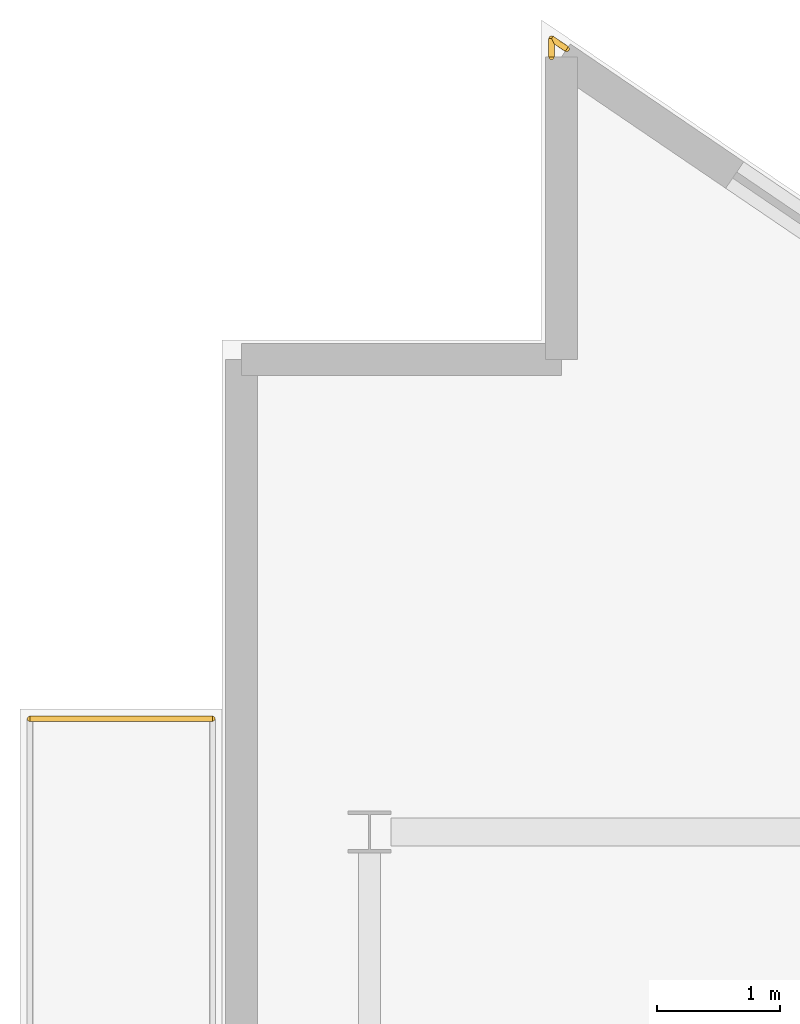
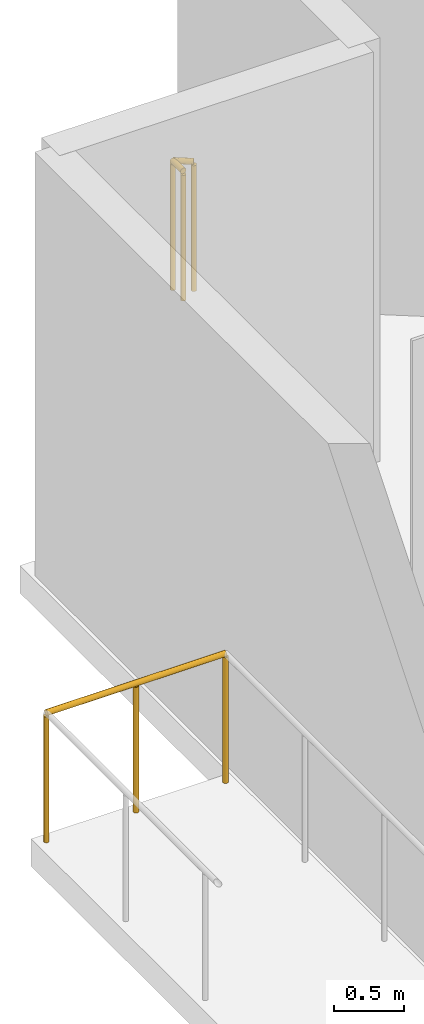
# One storey, part 20 of 21: 3 railings.
"""IFC4 building model written with IfcOpenShell, lengths in metres."""

from ifc_helpers import new_model, si_unit, direction, frame, origin, origin_2d, place, context, subcontext, project, spatial, circle, extrude, material, type_object, element, save


model = new_model("IFC4")

# Units and contexts
model_context = context("Model", 3, precision=1e-05, world=origin(), true_north=direction((0.0, 1.0)))
body_context = subcontext(model_context, "Body", "Model", "MODEL_VIEW")
ifc_project = project(units=[si_unit("LENGTHUNIT", "METRE"), si_unit("AREAUNIT", "SQUARE_METRE"), si_unit("VOLUMEUNIT", "CUBIC_METRE"), si_unit("PLANEANGLEUNIT", "RADIAN"), si_unit("MASSUNIT", "GRAM", prefix="KILO")], contexts=[model_context])

# Site, building, storey
site_placement = place(None, origin())
site = spatial("IfcSite", under=ifc_project, at=site_placement, CompositionType="ELEMENT")
building_placement = place(site_placement, origin())
building = spatial("IfcBuilding", under=site, at=building_placement, Name="Varnakote Quay Hospital", CompositionType="ELEMENT")
storey_placement = place(building_placement, frame((0.0, 0.0, 38.300048828125)))
storey = spatial("IfcBuildingStorey", under=building, at=storey_placement, Name="L09", CompositionType="ELEMENT", Elevation=38.300048828125)

# Railings
ifc_material = material(Name="Anodised aluminium 6063-T6 Bronze", Category="aluminium")
railing_type = type_object("IfcRailingType", Name="RLG-EXT-GUARD-1150", PredefinedType="GUARDRAIL", material=ifc_material)
railing_1_placement = place(storey_placement, frame((-1.56005859375, 38.1201171875, 0.0)))
element("IfcRailing", 1, at=railing_1_placement, inside=storey, type_object=railing_type, Name="L09 Zigzag Prow Healing Terrace Safety Guard", PredefinedType="GUARDRAIL", context=body_context, shape_type="SweptSolid", body=[
    extrude(circle(Radius=0.02392578125, at=origin_2d()), frame((0.0, 0.0, 1.1259765625), z_axis=(1.0, 0.0, 0.0), x_axis=(0.0, 1.0, 0.0)), (0.0, 0.0, 1.0), 1.484130859375),
    extrude(circle(Radius=0.02099609375, at=origin_2d()), origin(), (0.0, 0.0, 1.0), 1.101806640625),
    extrude(circle(Radius=0.02099609375, at=origin_2d()), frame((0.7421875, 0.0, 0.0)), (0.0, 0.0, 1.0), 1.101806640625),
    extrude(circle(Radius=0.02099609375, at=origin_2d()), frame((1.484130859375, 0.0, 0.0)), (0.0, 0.0, 1.0), 1.101806640625),
])
railing_2_placement = place(storey_placement, frame((2.679931640625, 43.497802734375, 0.0)))
element("IfcRailing", 2, at=railing_2_placement, inside=storey, type_object=railing_type, Name="L09 Slab Edge Perimeter Safety Guard", PredefinedType="GUARDRAIL", context=body_context, shape_type="SweptSolid", body=[
    extrude(circle(Radius=0.02392578125, at=origin_2d()), frame((0.0, 0.0, 1.1259765625), z_axis=(0.0, 1.0, 0.0), x_axis=(-1.0, 0.0, 0.0)), (0.0, 0.0, 1.0), 0.151123046875),
    extrude(circle(Radius=0.02099609375, at=origin_2d()), origin(), (0.0, 0.0, 1.0), 1.101806640625),
    extrude(circle(Radius=0.02099609375, at=origin_2d()), frame((0.0, 0.151123046875, 0.0)), (0.0, 0.0, 1.0), 1.101806640625),
])
railing_3_placement = place(storey_placement, frame((2.679931640625, 43.64892578125, 0.0)))
element("IfcRailing", 3, at=railing_3_placement, inside=storey, type_object=railing_type, Name="L09 Slab Edge Perimeter Safety Guard", PredefinedType="GUARDRAIL", context=body_context, shape_type="SweptSolid", body=[
    extrude(circle(Radius=0.02392578125, at=origin_2d()), frame((0.0, 0.0, 1.1259765625), z_axis=(0.827046660574, -0.562133277109, 0.0), x_axis=(0.562133277109, 0.827046660574, 0.0)), (0.0, 0.0, 1.0), 0.151123046875),
    extrude(circle(Radius=0.02099609375, at=origin_2d()), origin(), (0.0, 0.0, 1.0), 1.101806640625),
    extrude(circle(Radius=0.02099609375, at=origin_2d()), frame((0.125, -0.0849609375, 0.0)), (0.0, 0.0, 1.0), 1.101806640625),
])

save(model, "model.ifc")
